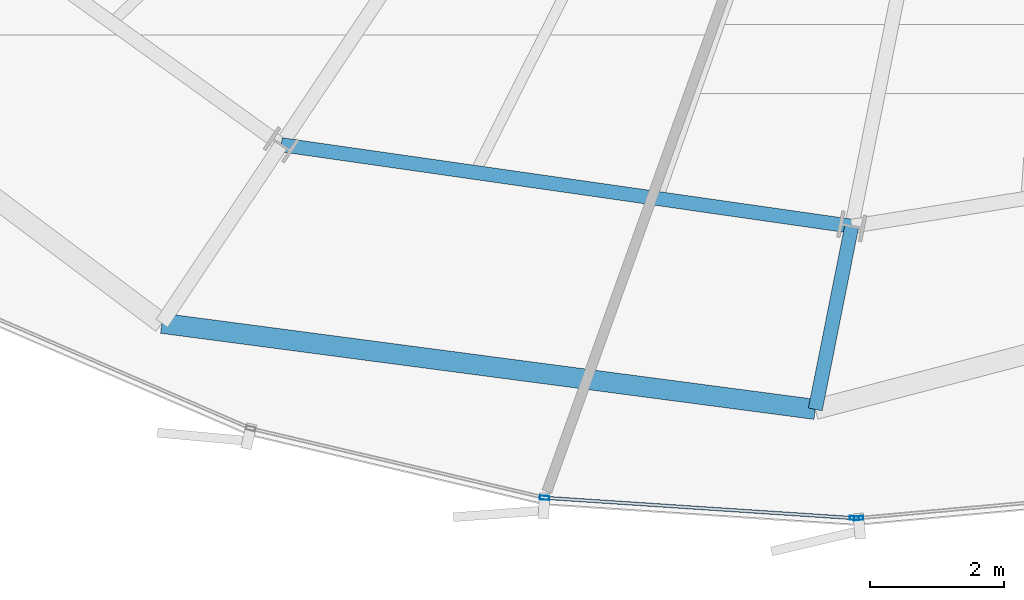
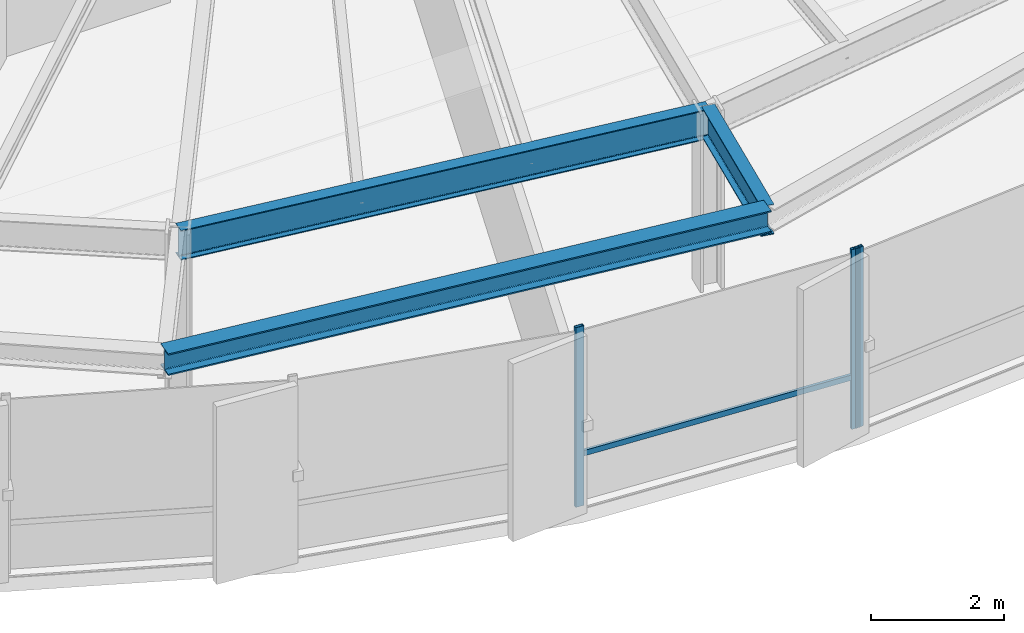
# One storey, part 5 of 35: 4 members, 3 beams, 2 elements without a shape of their own.
"""IFC4 building model written with IfcOpenShell, lengths in metres."""

from ifc_helpers import new_model, si_unit, direction, frame, origin, origin_2d, place, context, subcontext, project, spatial, hollow_rectangle, i_section, extrude, source, transform, mapped, material, layer, layer_set, material_profile, profile_set, type_object, element, aggregate, save


model = new_model("IFC4")

# Units and contexts
model_context = context("Model", 3, precision=1e-05, world=origin(), true_north=direction((0.0, 1.0)))
body_context = subcontext(model_context, "Body", "Model", "MODEL_VIEW")
ifc_project = project(units=[si_unit("LENGTHUNIT", "METRE"), si_unit("AREAUNIT", "SQUARE_METRE"), si_unit("VOLUMEUNIT", "CUBIC_METRE"), si_unit("PLANEANGLEUNIT", "RADIAN"), si_unit("MASSUNIT", "GRAM", prefix="KILO"), si_unit("THERMODYNAMICTEMPERATUREUNIT", "KELVIN")], contexts=[model_context])

# Site, building, storey
site_placement = place(None, origin())
site = spatial("IfcSite", under=ifc_project, at=site_placement, CompositionType="ELEMENT")
building_placement = place(site_placement, origin())
building = spatial("IfcBuilding", under=site, at=building_placement, Name="Kethvar Cultural Tower", CompositionType="ELEMENT")
storey_placement = place(building_placement, frame((0.0, 0.0, 139.449951171875)))
storey = spatial("IfcBuildingStorey", under=building, at=storey_placement, Name="L35", CompositionType="ELEMENT", Elevation=139.449951171875)

# Beams
ifc_material_1 = material(Name="Steel S355J2", Category="steel")
ifc_material_profile_1 = material_profile(ifc_material_1, i_section(OverallWidth=0.2099609375, OverallDepth=0.550048828125, WebThickness=0.010986328125, FlangeThickness=0.01708984375, FilletRadius=0.02392578125, at=origin_2d()), Name="Steel S355J2 — IPE550")
ifc_profile_set_1 = profile_set([ifc_material_profile_1], Name="Steel S355J2 — IPE550")
beam_type_1 = type_object("IfcBeamType", Name="BM-IPE550", PredefinedType="BEAM", material=ifc_profile_set_1)
shared_shape_1 = source(origin(), body_context, "Body", "SweptSolid", [
    extrude(i_section(OverallWidth=0.2099609375, OverallDepth=0.550048828125, WebThickness=0.010986328125, FlangeThickness=0.01708984375, FilletRadius=0.02392578125, at=origin_2d()), origin(), (0.0, 0.0, 1.0), 8.587890625),
])
beam_1_placement = place(storey_placement, frame((34.350830078125, 9.16845703125, 3.02294921875), z_axis=(0.989943807123, -0.141461156288, 0.0), x_axis=(0.141461156288, 0.989943807123, 0.0)))
element("IfcBeam", 1, at=beam_1_placement, inside=storey, type_object=beam_type_1, Name="L35 Column Ring Tie Beam CR-11", PredefinedType="BEAM", context=body_context, shape_type="MappedRepresentation", body=[
    mapped(shared_shape_1, transform((0.0, 0.0, 0.0), scale=1.0)),
])
shared_shape_2 = source(origin(), body_context, "Body", "SweptSolid", [
    extrude(i_section(OverallWidth=0.2099609375, OverallDepth=0.550048828125, WebThickness=0.010986328125, FlangeThickness=0.01708984375, FilletRadius=0.02392578125, at=origin_2d()), origin(), (0.0, 0.0, 1.0), 2.782470703125),
])
beam_2_placement = place(storey_placement, frame((42.852294921875, 7.95361328125, 3.02294921875), z_axis=(-0.195052978126, -0.980792707826, 0.0), x_axis=(0.980792707826, -0.195052978126, 0.0)))
element("IfcBeam", 2, at=beam_2_placement, inside=storey, type_object=beam_type_1, Name="L35 Perimeter Cantilever Beam RC-12", PredefinedType="BEAM", context=body_context, shape_type="MappedRepresentation", body=[
    mapped(shared_shape_2, transform((0.0, 0.0, 0.0), scale=1.0)),
])
ifc_material_profile_2 = material_profile(ifc_material_1, i_section(OverallWidth=0.300048828125, OverallDepth=0.39990234375, WebThickness=0.013427734375, FlangeThickness=0.02392578125, FilletRadius=0.027099609375, at=origin_2d()), Name="Steel S355J2 — HEB400")
ifc_profile_set_2 = profile_set([ifc_material_profile_2], Name="Steel S355J2 — HEB400")
beam_type_2 = type_object("IfcBeamType", Name="BM-SP400", PredefinedType="SPANDREL", material=ifc_profile_set_2)
shared_shape_3 = source(origin(), body_context, "Body", "SweptSolid", [
    extrude(i_section(OverallWidth=0.300048828125, OverallDepth=0.39990234375, WebThickness=0.013427734375, FlangeThickness=0.02392578125, FilletRadius=0.027099609375, at=origin_2d()), origin(), (0.0, 0.0, 1.0), 9.82080078125),
])
beam_3_placement = place(storey_placement, frame((32.572998046875, 6.5078125, 3.09814453125), z_axis=(0.991426943421, -0.130662220471, 0.0), x_axis=(0.130662220471, 0.991426943421, 0.0)))
element("IfcBeam", 3, at=beam_3_placement, inside=storey, type_object=beam_type_2, Name="L35 Perimeter Spandrel Beam SP-11", PredefinedType="SPANDREL", context=body_context, shape_type="MappedRepresentation", body=[
    mapped(shared_shape_3, transform((0.0, 0.0, 0.0), scale=1.0)),
])

# Curtain wall, members
ifc_material_2 = material(Name="Aluminium 6063-T6", Category="aluminium")
ifc_layer = layer(ifc_material_2, 0.179931640625, Name="Aluminium 6063-T6", Category="aluminium")
ifc_layer_set = layer_set([ifc_layer], Name="Aluminium 6063-T6 (180 mm)")
curtain_wall_type = type_object("IfcCurtainWallType", Name="CW-SYS-04-Z34", PredefinedType="NOTDEFINED", material=ifc_layer_set)
curtain_wall_1_placement = place(storey_placement, origin())
curtain_wall_1 = element("IfcCurtainWall", 4, at=curtain_wall_1_placement, inside=storey, type_object=curtain_wall_type, Name="L35 Curtain Wall Run 04", PredefinedType="NOTDEFINED")
ifc_material_profile_3 = material_profile(ifc_material_2, hollow_rectangle(XDim=0.06005859375, YDim=0.139892578125, WallThickness=0.0048828125, at=origin_2d()), Name="Aluminium 6063-T6 — RHS140x60x5")
ifc_profile_set_3 = profile_set([ifc_material_profile_3], Name="Aluminium 6063-T6 — RHS140x60x5")
member_type_1 = type_object("IfcMemberType", Name="CW-SYS-04-Z34-MUL", PredefinedType="MULLION", material=ifc_profile_set_3)
shared_shape_4 = source(origin(), body_context, "Body", "SweptSolid", [
    extrude(hollow_rectangle(XDim=0.06005859375, YDim=0.139892578125, WallThickness=0.0048828125, at=origin_2d()), origin(), (0.0, 0.0, 1.0), 3.300048828125),
])
member_1_placement = place(storey_placement, frame((38.27587890625, 3.90771484375, 0.0), z_axis=(0.0, 0.0, 1.0), x_axis=(0.065525040207, 0.997850925292, 0.0)))
member_1 = element("IfcMember", 5, at=member_1_placement, type_object=member_type_1, Name="CW-L35-R04 Mullion 6", PredefinedType="MULLION", context=body_context, shape_type="MappedRepresentation", body=[
    mapped(shared_shape_4, transform((0.0, 0.0, 0.0), scale=1.0)),
])
member_2_placement = place(storey_placement, frame((42.893798828125, 3.604248046875, 0.0), z_axis=(0.0, 0.0, 1.0), x_axis=(0.065525040207, 0.997850925292, 0.0)))
member_2 = element("IfcMember", 6, at=member_2_placement, type_object=member_type_1, Name="CW-L35-R04 Mullion 7", PredefinedType="MULLION", context=body_context, shape_type="MappedRepresentation", body=[
    mapped(shared_shape_4, transform((0.0, 0.0, 0.0), scale=1.0)),
])

# Curtain wall, member
curtain_wall_2_placement = place(storey_placement, origin())
curtain_wall_2 = element("IfcCurtainWall", 7, at=curtain_wall_2_placement, inside=storey, type_object=curtain_wall_type, Name="L35 Curtain Wall Run 05", PredefinedType="NOTDEFINED")
member_3_placement = place(storey_placement, frame((42.954345703125, 3.60498046875, 0.0), z_axis=(0.0, 0.0, 1.0), x_axis=(-0.090302327448, 0.99591439876, 0.0)))
member_3 = element("IfcMember", 8, at=member_3_placement, type_object=member_type_1, Name="CW-L35-R05 Mullion 1", PredefinedType="MULLION", context=body_context, shape_type="MappedRepresentation", body=[
    mapped(shared_shape_4, transform((0.0, 0.0, 0.0), scale=1.0)),
])
aggregate(curtain_wall_2, [member_3])

# Member
ifc_material_profile_4 = material_profile(ifc_material_2, hollow_rectangle(XDim=0.050048828125, YDim=0.10009765625, WallThickness=0.00390625, at=origin_2d()), Name="Aluminium 6063-T6 — RHS100x50x4")
ifc_profile_set_4 = profile_set([ifc_material_profile_4], Name="Aluminium 6063-T6 — RHS100x50x4")
member_type_2 = type_object("IfcMemberType", Name="CW-SYS-04-Z34-TRN", PredefinedType="USERDEFINED", material=ifc_profile_set_4)
shared_shape_5 = source(origin(), body_context, "Body", "SweptSolid", [
    extrude(hollow_rectangle(XDim=0.050048828125, YDim=0.10009765625, WallThickness=0.00390625, at=origin_2d()), origin(), (0.0, 0.0, 1.0), 4.58056640625),
])
member_4_placement = place(storey_placement, frame((38.31884765625, 3.90478515625, 0.949951171875), z_axis=(0.997848840419, -0.065556782059, 0.0), x_axis=(0.065556782059, 0.997848840419, 0.0)))
member_4 = element("IfcMember", 9, at=member_4_placement, type_object=member_type_2, Name="CW-L35-R04 Transom 6", ObjectType="TRANSOM", PredefinedType="USERDEFINED", context=body_context, shape_type="MappedRepresentation", body=[
    mapped(shared_shape_5, transform((0.0, 0.0, 0.0), scale=1.0)),
])

aggregate(curtain_wall_1, [member_1, member_2, member_4])

save(model, "model.ifc")
